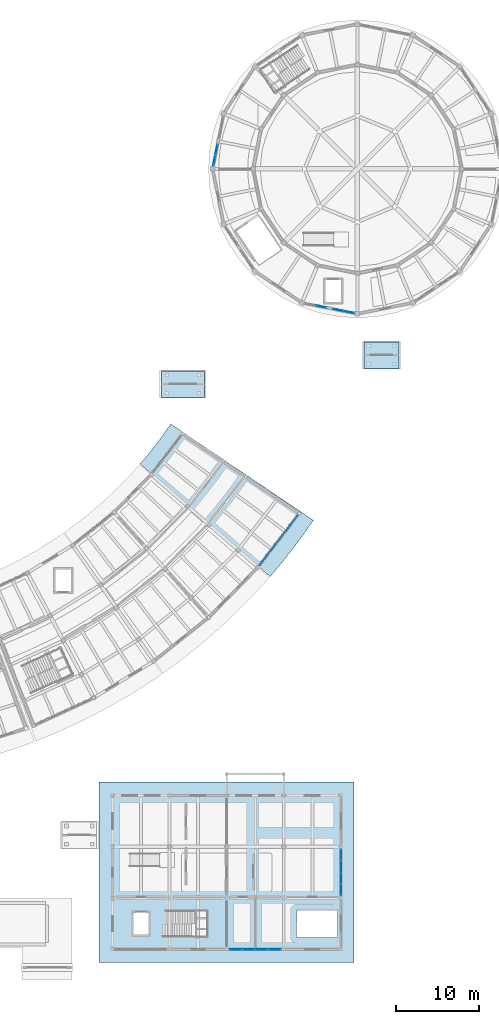
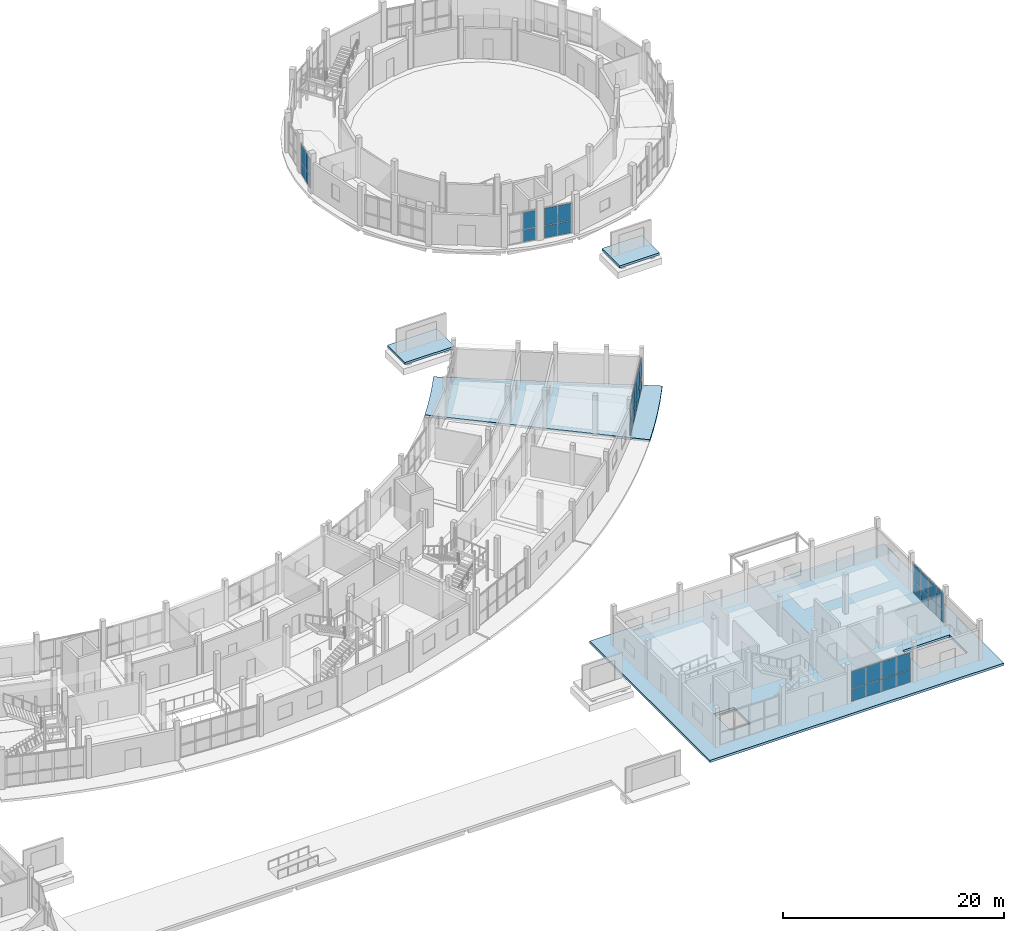
# One storey, part 56 of 92: 36 plates, 4 slabs, 6 elements without a shape of their own.
"""IFC4 building model written with IfcOpenShell, lengths in metres."""

from ifc_helpers import new_model, si_unit, direction, frame, origin, origin_2d, place, context, subcontext, project, spatial, polyline, rectangle, outline, extrude, material, layer, layer_set, type_object, element, aggregate, save


model = new_model("IFC4")

# Units and contexts
model_context = context("Model", 3, precision=1e-05, world=origin(), true_north=direction((0.0, 1.0)))
body_context = subcontext(model_context, "Body", "Model", "MODEL_VIEW")
ifc_project = project(units=[si_unit("LENGTHUNIT", "METRE"), si_unit("AREAUNIT", "SQUARE_METRE"), si_unit("VOLUMEUNIT", "CUBIC_METRE"), si_unit("PLANEANGLEUNIT", "RADIAN"), si_unit("MASSUNIT", "GRAM", prefix="KILO")], contexts=[model_context])

# Site, building, storey
site_placement = place(None, origin())
site = spatial("IfcSite", under=ifc_project, at=site_placement, CompositionType="ELEMENT")
building_placement = place(site_placement, origin())
building = spatial("IfcBuilding", under=site, at=building_placement, Name="Caldaven Crescent School", CompositionType="ELEMENT")
storey_placement = place(building_placement, origin())
storey = spatial("IfcBuildingStorey", under=building, at=storey_placement, Name="L00", CompositionType="ELEMENT", Elevation=0.0)

# Curtain wall, plates
ifc_material_1 = material(Name="Anodised aluminium AA 6063-T6 and low-E double glazing", Category="aluminium")
ifc_layer_1 = layer(ifc_material_1, 0.169921875)
ifc_layer_set_1 = layer_set([ifc_layer_1], Name="Anodised aluminium AA 6063-T6 and low-E double glazing")
curtain_wall_type_1 = type_object("IfcCurtainWallType", Name="CW-SYS1", PredefinedType="NOTDEFINED", material=ifc_layer_set_1)
curtain_wall_1_placement = place(storey_placement, origin())
curtain_wall_1 = element("IfcCurtainWall", 1, at=curtain_wall_1_placement, inside=storey, type_object=curtain_wall_type_1, Name="CW-L00-008", PredefinedType="NOTDEFINED")
ifc_material_2 = material(Name="Tempered low-E double glazing IGU", Category="glass")
ifc_layer_2 = layer(ifc_material_2, 0.0419921875)
ifc_layer_set_2 = layer_set([ifc_layer_2], Name="Tempered low-E double glazing IGU")
plate_type_1 = type_object("IfcPlateType", Name="PLT-CWP09", PredefinedType="CURTAIN_PANEL", material=ifc_layer_set_2)
plate_1_placement = place(storey_placement, frame((135.4609375, 100.817626953125, 0.06494140625), z_axis=(0.0, 0.0, 1.0), x_axis=(-0.195090276825, -0.980785289392, 0.0)))
plate_1 = element("IfcPlate", 2, at=plate_1_placement, type_object=plate_type_1, Name="CW1 panel 1.1", PredefinedType="CURTAIN_PANEL", context=body_context, shape_type="SweptSolid", body=[
    extrude(rectangle(XDim=1.241943359375, YDim=0.0419921875, at=origin_2d()), origin(), (0.0, 0.0, 1.0), 1.33056640625),
])
plate_2_placement = place(storey_placement, frame((135.4609375, 100.817626953125, 1.46044921875), z_axis=(0.0, 0.0, 1.0), x_axis=(-0.195090276825, -0.980785289392, 0.0)))
plate_2 = element("IfcPlate", 3, at=plate_2_placement, type_object=plate_type_1, Name="CW1 panel 1.2", PredefinedType="CURTAIN_PANEL", context=body_context, shape_type="SweptSolid", body=[
    extrude(rectangle(XDim=1.241943359375, YDim=0.0419921875, at=origin_2d()), origin(), (0.0, 0.0, 1.0), 1.87451171875),
])
plate_3_placement = place(storey_placement, frame((135.205078125, 99.53076171875, 0.06494140625), z_axis=(0.0, 0.0, 1.0), x_axis=(-0.195090276825, -0.980785289392, 0.0)))
plate_3 = element("IfcPlate", 4, at=plate_3_placement, type_object=plate_type_1, Name="CW1 panel 2.1", PredefinedType="CURTAIN_PANEL", context=body_context, shape_type="SweptSolid", body=[
    extrude(rectangle(XDim=1.241943359375, YDim=0.0419921875, at=origin_2d()), origin(), (0.0, 0.0, 1.0), 1.33056640625),
])
plate_4_placement = place(storey_placement, frame((135.205078125, 99.53076171875, 1.46044921875), z_axis=(0.0, 0.0, 1.0), x_axis=(-0.195090276825, -0.980785289392, 0.0)))
plate_4 = element("IfcPlate", 5, at=plate_4_placement, type_object=plate_type_1, Name="CW1 panel 2.2", PredefinedType="CURTAIN_PANEL", context=body_context, shape_type="SweptSolid", body=[
    extrude(rectangle(XDim=1.241943359375, YDim=0.0419921875, at=origin_2d()), origin(), (0.0, 0.0, 1.0), 1.87451171875),
])
aggregate(curtain_wall_1, [plate_1, plate_2, plate_3, plate_4])

ifc_layer_3 = layer(ifc_material_1, 0.2099609375)
ifc_layer_set_3 = layer_set([ifc_layer_3], Name="Anodised aluminium AA 6063-T6 and low-E double glazing")
curtain_wall_type_2 = type_object("IfcCurtainWallType", Name="CW-SYS3", PredefinedType="NOTDEFINED", material=ifc_layer_set_3)
curtain_wall_2_placement = place(storey_placement, origin())
curtain_wall_2 = element("IfcCurtainWall", 6, at=curtain_wall_2_placement, inside=storey, type_object=curtain_wall_type_2, Name="CW-L00-082", PredefinedType="NOTDEFINED")
ifc_layer_4 = layer(ifc_material_2, 0.0458984375)
ifc_layer_set_4 = layer_set([ifc_layer_4], Name="Tempered low-E double glazing IGU")
plate_type_2 = type_object("IfcPlateType", Name="PLT-CWP11", PredefinedType="CURTAIN_PANEL", material=ifc_layer_set_4)
plate_5_placement = place(storey_placement, frame((137.804931640625, 4.199951171875, 0.06494140625), z_axis=(0.0, 0.0, 1.0), x_axis=(1.0, 0.0, 0.0)))
plate_5 = element("IfcPlate", 7, at=plate_5_placement, type_object=plate_type_2, Name="CW3 panel 1.1", PredefinedType="CURTAIN_PANEL", context=body_context, shape_type="SweptSolid", body=[
    extrude(rectangle(XDim=1.469970703125, YDim=0.0458984375, at=origin_2d()), origin(), (0.0, 0.0, 1.0), 1.33056640625),
])
plate_6_placement = place(storey_placement, frame((137.804931640625, 4.199951171875, 1.46044921875), z_axis=(0.0, 0.0, 1.0), x_axis=(1.0, 0.0, 0.0)))
plate_6 = element("IfcPlate", 8, at=plate_6_placement, type_object=plate_type_2, Name="CW3 panel 1.2", PredefinedType="CURTAIN_PANEL", context=body_context, shape_type="SweptSolid", body=[
    extrude(rectangle(XDim=1.469970703125, YDim=0.0458984375, at=origin_2d()), origin(), (0.0, 0.0, 1.0), 1.87451171875),
])
plate_7_placement = place(storey_placement, frame((139.362548828125, 4.199951171875, 0.06494140625), z_axis=(0.0, 0.0, 1.0), x_axis=(1.0, 0.0, 0.0)))
plate_7 = element("IfcPlate", 9, at=plate_7_placement, type_object=plate_type_2, Name="CW3 panel 2.1", PredefinedType="CURTAIN_PANEL", context=body_context, shape_type="SweptSolid", body=[
    extrude(rectangle(XDim=1.5048828125, YDim=0.0458984375, at=origin_2d()), origin(), (0.0, 0.0, 1.0), 1.33056640625),
])
plate_8_placement = place(storey_placement, frame((139.362548828125, 4.199951171875, 1.46044921875), z_axis=(0.0, 0.0, 1.0), x_axis=(1.0, 0.0, 0.0)))
plate_8 = element("IfcPlate", 10, at=plate_8_placement, type_object=plate_type_2, Name="CW3 panel 2.2", PredefinedType="CURTAIN_PANEL", context=body_context, shape_type="SweptSolid", body=[
    extrude(rectangle(XDim=1.5048828125, YDim=0.0458984375, at=origin_2d()), origin(), (0.0, 0.0, 1.0), 1.87451171875),
])
plate_9_placement = place(storey_placement, frame((140.9375, 4.199951171875, 0.06494140625), z_axis=(0.0, 0.0, 1.0), x_axis=(1.0, 0.0, 0.0)))
plate_9 = element("IfcPlate", 11, at=plate_9_placement, type_object=plate_type_2, Name="CW3 panel 3.1", PredefinedType="CURTAIN_PANEL", context=body_context, shape_type="SweptSolid", body=[
    extrude(rectangle(XDim=1.5048828125, YDim=0.0458984375, at=origin_2d()), origin(), (0.0, 0.0, 1.0), 1.33056640625),
])
plate_10_placement = place(storey_placement, frame((140.9375, 4.199951171875, 1.46044921875), z_axis=(0.0, 0.0, 1.0), x_axis=(1.0, 0.0, 0.0)))
plate_10 = element("IfcPlate", 12, at=plate_10_placement, type_object=plate_type_2, Name="CW3 panel 3.2", PredefinedType="CURTAIN_PANEL", context=body_context, shape_type="SweptSolid", body=[
    extrude(rectangle(XDim=1.5048828125, YDim=0.0458984375, at=origin_2d()), origin(), (0.0, 0.0, 1.0), 1.87451171875),
])
plate_11_placement = place(storey_placement, frame((142.4951171875, 4.199951171875, 0.06494140625), z_axis=(0.0, 0.0, 1.0), x_axis=(1.0, 0.0, 0.0)))
plate_11 = element("IfcPlate", 13, at=plate_11_placement, type_object=plate_type_2, Name="CW3 panel 4.1", PredefinedType="CURTAIN_PANEL", context=body_context, shape_type="SweptSolid", body=[
    extrude(rectangle(XDim=1.469970703125, YDim=0.0458984375, at=origin_2d()), origin(), (0.0, 0.0, 1.0), 1.33056640625),
])
plate_12_placement = place(storey_placement, frame((142.4951171875, 4.199951171875, 1.46044921875), z_axis=(0.0, 0.0, 1.0), x_axis=(1.0, 0.0, 0.0)))
plate_12 = element("IfcPlate", 14, at=plate_12_placement, type_object=plate_type_2, Name="CW3 panel 4.2", PredefinedType="CURTAIN_PANEL", context=body_context, shape_type="SweptSolid", body=[
    extrude(rectangle(XDim=1.469970703125, YDim=0.0458984375, at=origin_2d()), origin(), (0.0, 0.0, 1.0), 1.87451171875),
])
aggregate(curtain_wall_2, [plate_5, plate_6, plate_7, plate_8, plate_9, plate_10, plate_11, plate_12])

ifc_layer_5 = layer(ifc_material_1, 0.22998046875)
ifc_layer_set_5 = layer_set([ifc_layer_5], Name="Anodised aluminium AA 6063-T6 and low-E double glazing")
curtain_wall_type_3 = type_object("IfcCurtainWallType", Name="CW-SYS4", PredefinedType="NOTDEFINED", material=ifc_layer_set_5)
curtain_wall_3_placement = place(storey_placement, origin())
curtain_wall_3 = element("IfcCurtainWall", 15, at=curtain_wall_3_placement, inside=storey, type_object=curtain_wall_type_3, Name="CW-L00-011", PredefinedType="NOTDEFINED")
ifc_layer_6 = layer(ifc_material_2, 0.048095703125)
ifc_layer_set_6 = layer_set([ifc_layer_6], Name="Tempered low-E double glazing IGU")
plate_type_3 = type_object("IfcPlateType", Name="PLT-CWP12", PredefinedType="CURTAIN_PANEL", material=ifc_layer_set_6)
plate_13_placement = place(storey_placement, frame((148.12060546875, 81.87109375, 0.06982421875), z_axis=(0.0, 0.0, 1.0), x_axis=(0.980785289392, -0.195090276825, 0.0)))
plate_13 = element("IfcPlate", 16, at=plate_13_placement, type_object=plate_type_3, Name="CW4 panel 2.1", PredefinedType="CURTAIN_PANEL", context=body_context, shape_type="SweptSolid", body=[
    extrude(rectangle(XDim=1.241943359375, YDim=0.048095703125, at=origin_2d()), origin(), (0.0, 0.0, 1.0), 1.322998046875),
])
plate_14_placement = place(storey_placement, frame((148.12060546875, 81.87109375, 1.462890625), z_axis=(0.0, 0.0, 1.0), x_axis=(0.980785289392, -0.195090276825, 0.0)))
plate_14 = element("IfcPlate", 17, at=plate_14_placement, type_object=plate_type_3, Name="CW4 panel 2.2", PredefinedType="CURTAIN_PANEL", context=body_context, shape_type="SweptSolid", body=[
    extrude(rectangle(XDim=1.241943359375, YDim=0.048095703125, at=origin_2d()), origin(), (0.0, 0.0, 1.0), 1.866943359375),
])
aggregate(curtain_wall_3, [plate_13, plate_14])

curtain_wall_4_placement = place(storey_placement, origin())
curtain_wall_4 = element("IfcCurtainWall", 18, at=curtain_wall_4_placement, inside=storey, type_object=curtain_wall_type_2, Name="CW-L00-083", PredefinedType="NOTDEFINED")
plate_15_placement = place(storey_placement, frame((150.5, 11.41748046875, 0.06494140625), z_axis=(0.0, 0.0, 1.0), x_axis=(0.0, 1.0, 0.0)))
plate_15 = element("IfcPlate", 19, at=plate_15_placement, type_object=plate_type_3, Name="CW3 panel 1.1", PredefinedType="CURTAIN_PANEL", context=body_context, shape_type="SweptSolid", body=[
    extrude(rectangle(XDim=1.294921875, YDim=0.048095703125, at=origin_2d()), origin(), (0.0, 0.0, 1.0), 1.33056640625),
])
plate_16_placement = place(storey_placement, frame((150.5, 11.41748046875, 1.46044921875), z_axis=(0.0, 0.0, 1.0), x_axis=(0.0, 1.0, 0.0)))
plate_16 = element("IfcPlate", 20, at=plate_16_placement, type_object=plate_type_3, Name="CW3 panel 1.2", PredefinedType="CURTAIN_PANEL", context=body_context, shape_type="SweptSolid", body=[
    extrude(rectangle(XDim=1.294921875, YDim=0.048095703125, at=origin_2d()), origin(), (0.0, 0.0, 1.0), 1.87451171875),
])
plate_17_placement = place(storey_placement, frame((150.5, 12.800048828125, 0.06494140625), z_axis=(0.0, 0.0, 1.0), x_axis=(0.0, 1.0, 0.0)))
plate_17 = element("IfcPlate", 21, at=plate_17_placement, type_object=plate_type_3, Name="CW3 panel 2.1", PredefinedType="CURTAIN_PANEL", context=body_context, shape_type="SweptSolid", body=[
    extrude(rectangle(XDim=1.330078125, YDim=0.048095703125, at=origin_2d()), origin(), (0.0, 0.0, 1.0), 1.33056640625),
])
plate_18_placement = place(storey_placement, frame((150.5, 12.800048828125, 1.46044921875), z_axis=(0.0, 0.0, 1.0), x_axis=(0.0, 1.0, 0.0)))
plate_18 = element("IfcPlate", 22, at=plate_18_placement, type_object=plate_type_3, Name="CW3 panel 2.2", PredefinedType="CURTAIN_PANEL", context=body_context, shape_type="SweptSolid", body=[
    extrude(rectangle(XDim=1.330078125, YDim=0.048095703125, at=origin_2d()), origin(), (0.0, 0.0, 1.0), 1.87451171875),
])
plate_19_placement = place(storey_placement, frame((150.5, 14.199951171875, 0.06494140625), z_axis=(0.0, 0.0, 1.0), x_axis=(0.0, 1.0, 0.0)))
plate_19 = element("IfcPlate", 23, at=plate_19_placement, type_object=plate_type_3, Name="CW3 panel 3.1", PredefinedType="CURTAIN_PANEL", context=body_context, shape_type="SweptSolid", body=[
    extrude(rectangle(XDim=1.330078125, YDim=0.048095703125, at=origin_2d()), origin(), (0.0, 0.0, 1.0), 1.33056640625),
])
plate_20_placement = place(storey_placement, frame((150.5, 14.199951171875, 1.46044921875), z_axis=(0.0, 0.0, 1.0), x_axis=(0.0, 1.0, 0.0)))
plate_20 = element("IfcPlate", 24, at=plate_20_placement, type_object=plate_type_3, Name="CW3 panel 3.2", PredefinedType="CURTAIN_PANEL", context=body_context, shape_type="SweptSolid", body=[
    extrude(rectangle(XDim=1.330078125, YDim=0.048095703125, at=origin_2d()), origin(), (0.0, 0.0, 1.0), 1.87451171875),
])
plate_21_placement = place(storey_placement, frame((150.5, 15.58251953125, 0.06494140625), z_axis=(0.0, 0.0, 1.0), x_axis=(0.0, 1.0, 0.0)))
plate_21 = element("IfcPlate", 25, at=plate_21_placement, type_object=plate_type_3, Name="CW3 panel 4.1", PredefinedType="CURTAIN_PANEL", context=body_context, shape_type="SweptSolid", body=[
    extrude(rectangle(XDim=1.294921875, YDim=0.048095703125, at=origin_2d()), origin(), (0.0, 0.0, 1.0), 1.33056640625),
])
plate_22_placement = place(storey_placement, frame((150.5, 15.58251953125, 1.46044921875), z_axis=(0.0, 0.0, 1.0), x_axis=(0.0, 1.0, 0.0)))
plate_22 = element("IfcPlate", 26, at=plate_22_placement, type_object=plate_type_3, Name="CW3 panel 4.2", PredefinedType="CURTAIN_PANEL", context=body_context, shape_type="SweptSolid", body=[
    extrude(rectangle(XDim=1.294921875, YDim=0.048095703125, at=origin_2d()), origin(), (0.0, 0.0, 1.0), 1.87451171875),
])
aggregate(curtain_wall_4, [plate_15, plate_16, plate_17, plate_18, plate_19, plate_20, plate_21, plate_22])

curtain_wall_5_placement = place(storey_placement, origin())
curtain_wall_5 = element("IfcCurtainWall", 27, at=curtain_wall_5_placement, inside=storey, type_object=curtain_wall_type_1, Name="CW-L00-012", PredefinedType="NOTDEFINED")
ifc_layer_7 = layer(ifc_material_2, 0.050048828125)
ifc_layer_set_7 = layer_set([ifc_layer_7], Name="Tempered low-E double glazing IGU")
plate_type_4 = type_object("IfcPlateType", Name="PLT-CWP13", PredefinedType="CURTAIN_PANEL", material=ifc_layer_set_7)
plate_23_placement = place(storey_placement, frame((150.179931640625, 81.46142578125, 0.06005859375), z_axis=(0.0, 0.0, 1.0), x_axis=(0.980785289392, -0.195090276825, 0.0)))
plate_23 = element("IfcPlate", 28, at=plate_23_placement, type_object=plate_type_4, Name="CW1 panel 1.1", PredefinedType="CURTAIN_PANEL", context=body_context, shape_type="SweptSolid", body=[
    extrude(rectangle(XDim=1.257080078125, YDim=0.050048828125, at=origin_2d()), origin(), (0.0, 0.0, 1.0), 1.337890625),
])
plate_24_placement = place(storey_placement, frame((150.179931640625, 81.46142578125, 1.4580078125), z_axis=(0.0, 0.0, 1.0), x_axis=(0.980785289392, -0.195090276825, 0.0)))
plate_24 = element("IfcPlate", 29, at=plate_24_placement, type_object=plate_type_4, Name="CW1 panel 1.2", PredefinedType="CURTAIN_PANEL", context=body_context, shape_type="SweptSolid", body=[
    extrude(rectangle(XDim=1.257080078125, YDim=0.050048828125, at=origin_2d()), origin(), (0.0, 0.0, 1.0), 1.882080078125),
])
plate_25_placement = place(storey_placement, frame((151.4716796875, 81.20458984375, 0.06005859375), z_axis=(0.0, 0.0, 1.0), x_axis=(0.980785289392, -0.195090276825, 0.0)))
plate_25 = element("IfcPlate", 30, at=plate_25_placement, type_object=plate_type_4, Name="CW1 panel 2.1", PredefinedType="CURTAIN_PANEL", context=body_context, shape_type="SweptSolid", body=[
    extrude(rectangle(XDim=1.257080078125, YDim=0.050048828125, at=origin_2d()), origin(), (0.0, 0.0, 1.0), 1.337890625),
])
plate_26_placement = place(storey_placement, frame((151.4716796875, 81.20458984375, 1.4580078125), z_axis=(0.0, 0.0, 1.0), x_axis=(0.980785289392, -0.195090276825, 0.0)))
plate_26 = element("IfcPlate", 31, at=plate_26_placement, type_object=plate_type_4, Name="CW1 panel 2.2", PredefinedType="CURTAIN_PANEL", context=body_context, shape_type="SweptSolid", body=[
    extrude(rectangle(XDim=1.257080078125, YDim=0.050048828125, at=origin_2d()), origin(), (0.0, 0.0, 1.0), 1.882080078125),
])
aggregate(curtain_wall_5, [plate_23, plate_24, plate_25, plate_26])

curtain_wall_6_placement = place(storey_placement, origin())
curtain_wall_6 = element("IfcCurtainWall", 32, at=curtain_wall_6_placement, inside=storey, type_object=curtain_wall_type_2, Name="CW-L00-116", PredefinedType="NOTDEFINED")
ifc_material_3 = material(Name="Insulated bronze aluminium spandrel panel", Category="aluminium")
ifc_layer_8 = layer(ifc_material_3, 0.06591796875)
ifc_layer_set_8 = layer_set([ifc_layer_8], Name="Insulated bronze aluminium spandrel panel")
plate_type_5 = type_object("IfcPlateType", Name="PLT-CWP21", PredefinedType="CURTAIN_PANEL", material=ifc_layer_set_8)
plate_27_placement = place(storey_placement, frame((141.146728515625, 51.22314453125, 0.06005859375), z_axis=(0.0, 0.0, 1.0), x_axis=(0.610385833254, 0.792104244757, 0.0)))
plate_27 = element("IfcPlate", 33, at=plate_27_placement, type_object=plate_type_5, Name="CW3 panel 1.1", PredefinedType="CURTAIN_PANEL", context=body_context, shape_type="SweptSolid", body=[
    extrude(rectangle(XDim=1.431396484375, YDim=0.06591796875, at=origin_2d()), origin(), (0.0, 0.0, 1.0), 1.337890625),
])
plate_28_placement = place(storey_placement, frame((141.146728515625, 51.22314453125, 1.4580078125), z_axis=(0.0, 0.0, 1.0), x_axis=(0.610385833254, 0.792104244757, 0.0)))
plate_28 = element("IfcPlate", 34, at=plate_28_placement, type_object=plate_type_5, Name="CW3 panel 1.2", PredefinedType="CURTAIN_PANEL", context=body_context, shape_type="SweptSolid", body=[
    extrude(rectangle(XDim=1.431396484375, YDim=0.06591796875, at=origin_2d()), origin(), (0.0, 0.0, 1.0), 1.882080078125),
])
plate_29_placement = place(storey_placement, frame((142.066162109375, 52.41650390625, 0.06005859375), z_axis=(0.0, 0.0, 1.0), x_axis=(0.610385833254, 0.792104244757, 0.0)))
plate_29 = element("IfcPlate", 35, at=plate_29_placement, type_object=plate_type_5, Name="CW3 panel 2.1", PredefinedType="CURTAIN_PANEL", context=body_context, shape_type="SweptSolid", body=[
    extrude(rectangle(XDim=1.46142578125, YDim=0.06591796875, at=origin_2d()), origin(), (0.0, 0.0, 1.0), 1.337890625),
])
plate_30_placement = place(storey_placement, frame((142.066162109375, 52.41650390625, 1.4580078125), z_axis=(0.0, 0.0, 1.0), x_axis=(0.610385833254, 0.792104244757, 0.0)))
plate_30 = element("IfcPlate", 36, at=plate_30_placement, type_object=plate_type_5, Name="CW3 panel 2.2", PredefinedType="CURTAIN_PANEL", context=body_context, shape_type="SweptSolid", body=[
    extrude(rectangle(XDim=1.46142578125, YDim=0.06591796875, at=origin_2d()), origin(), (0.0, 0.0, 1.0), 1.882080078125),
])
plate_31_placement = place(storey_placement, frame((142.994873046875, 53.62158203125, 0.06005859375), z_axis=(0.0, 0.0, 1.0), x_axis=(0.610385833254, 0.792104244757, 0.0)))
plate_31 = element("IfcPlate", 37, at=plate_31_placement, type_object=plate_type_5, Name="CW3 panel 3.1", PredefinedType="CURTAIN_PANEL", context=body_context, shape_type="SweptSolid", body=[
    extrude(rectangle(XDim=1.46142578125, YDim=0.06591796875, at=origin_2d()), origin(), (0.0, 0.0, 1.0), 1.337890625),
])
plate_32_placement = place(storey_placement, frame((142.994873046875, 53.62158203125, 1.4580078125), z_axis=(0.0, 0.0, 1.0), x_axis=(0.610385833254, 0.792104244757, 0.0)))
plate_32 = element("IfcPlate", 38, at=plate_32_placement, type_object=plate_type_5, Name="CW3 panel 3.2", PredefinedType="CURTAIN_PANEL", context=body_context, shape_type="SweptSolid", body=[
    extrude(rectangle(XDim=1.46142578125, YDim=0.06591796875, at=origin_2d()), origin(), (0.0, 0.0, 1.0), 1.882080078125),
])
plate_33_placement = place(storey_placement, frame((143.923583984375, 54.826904296875, 0.06005859375), z_axis=(0.0, 0.0, 1.0), x_axis=(0.610385833254, 0.792104244757, 0.0)))
plate_33 = element("IfcPlate", 39, at=plate_33_placement, type_object=plate_type_5, Name="CW3 panel 4.1", PredefinedType="CURTAIN_PANEL", context=body_context, shape_type="SweptSolid", body=[
    extrude(rectangle(XDim=1.46142578125, YDim=0.06591796875, at=origin_2d()), origin(), (0.0, 0.0, 1.0), 1.337890625),
])
plate_34_placement = place(storey_placement, frame((143.923583984375, 54.826904296875, 1.4580078125), z_axis=(0.0, 0.0, 1.0), x_axis=(0.610385833254, 0.792104244757, 0.0)))
plate_34 = element("IfcPlate", 40, at=plate_34_placement, type_object=plate_type_5, Name="CW3 panel 4.2", PredefinedType="CURTAIN_PANEL", context=body_context, shape_type="SweptSolid", body=[
    extrude(rectangle(XDim=1.46142578125, YDim=0.06591796875, at=origin_2d()), origin(), (0.0, 0.0, 1.0), 1.882080078125),
])
plate_35_placement = place(storey_placement, frame((144.843017578125, 56.02001953125, 0.06005859375), z_axis=(0.0, 0.0, 1.0), x_axis=(0.610385833254, 0.792104244757, 0.0)))
plate_35 = element("IfcPlate", 41, at=plate_35_placement, type_object=plate_type_5, Name="CW3 panel 5.1", PredefinedType="CURTAIN_PANEL", context=body_context, shape_type="SweptSolid", body=[
    extrude(rectangle(XDim=1.431396484375, YDim=0.06591796875, at=origin_2d()), origin(), (0.0, 0.0, 1.0), 1.337890625),
])
plate_36_placement = place(storey_placement, frame((144.843017578125, 56.02001953125, 1.4580078125), z_axis=(0.0, 0.0, 1.0), x_axis=(0.610385833254, 0.792104244757, 0.0)))
plate_36 = element("IfcPlate", 42, at=plate_36_placement, type_object=plate_type_5, Name="CW3 panel 5.2", PredefinedType="CURTAIN_PANEL", context=body_context, shape_type="SweptSolid", body=[
    extrude(rectangle(XDim=1.431396484375, YDim=0.06591796875, at=origin_2d()), origin(), (0.0, 0.0, 1.0), 1.882080078125),
])
aggregate(curtain_wall_6, [plate_27, plate_28, plate_29, plate_30, plate_31, plate_32, plate_33, plate_34, plate_35, plate_36])

# Slabs
ifc_material_4 = material(Name="Concrete C30/37", Category="concrete")
ifc_layer_9 = layer(ifc_material_4, 0.239990234375)
ifc_layer_set_9 = layer_set([ifc_layer_9], Name="Concrete C30/37")
slab_type_1 = type_object("IfcSlabType", Name="SLB-BS2", PredefinedType="BASESLAB", material=ifc_layer_set_9)
slab_1_placement = place(storey_placement, frame((0.0, 0.0, -0.239990234375)))
element("IfcSlab", 43, at=slab_1_placement, inside=storey, type_object=slab_type_1, Name="SLB-GATE-CG2", PredefinedType="BASESLAB", context=body_context, shape_type="SweptSolid", body=[
    extrude(outline(polyline([(128.800048828125, 70.89990234375), (134.0, 70.89990234375), (134.0, 74.10009765625), (128.800048828125, 74.10009765625), (128.800048828125, 70.89990234375)])), origin(), (0.0, 0.0, 1.0), 0.239990234375),
])
slab_2_placement = place(storey_placement, frame((0.0, 0.0, -0.239990234375)))
element("IfcSlab", 44, at=slab_2_placement, inside=storey, type_object=slab_type_1, Name="SLB-GATE-CG6", PredefinedType="BASESLAB", context=body_context, shape_type="SweptSolid", body=[
    extrude(outline(polyline([(153.300048828125, 74.39990234375), (157.5, 74.39990234375), (157.5, 77.60009765625), (153.300048828125, 77.60009765625), (153.300048828125, 74.39990234375)])), origin(), (0.0, 0.0, 1.0), 0.239990234375),
])
ifc_material_5 = material(Name="Concrete C35/45", Category="concrete")
ifc_layer_10 = layer(ifc_material_5, 0.260009765625)
ifc_layer_set_10 = layer_set([ifc_layer_10], Name="Concrete C35/45")
slab_type_2 = type_object("IfcSlabType", Name="SLB-FS1", PredefinedType="FLOOR", material=ifc_layer_set_10)
slab_3_placement = place(storey_placement, frame((0.0, 0.0, -0.260009765625)))
element("IfcSlab", 45, at=slab_3_placement, inside=storey, type_object=slab_type_2, Name="SLB-V3-L00", PredefinedType="FLOOR", context=body_context, shape_type="SweptSolid", body=[
    extrude(outline(polyline([(121.300048828125, 2.60009765625), (152.10009765625, 2.60009765625), (152.10009765625, 24.39990234375), (121.300048828125, 24.39990234375), (121.300048828125, 2.60009765625)]), holes=[polyline([(125.300048828125, 5.800048828125), (125.300048828125, 8.800048828125), (127.39990234375, 8.800048828125), (127.39990234375, 5.800048828125), (125.300048828125, 5.800048828125)]), polyline([(145.157958984375, 5.679931640625), (145.157958984375, 8.919921875), (150.06005859375, 8.919921875), (150.06005859375, 5.679931640625), (145.157958984375, 5.679931640625)])]), origin(), (0.0, 0.0, 1.0), 0.260009765625),
])
slab_4_placement = place(storey_placement, frame((0.0, 0.0, -0.260009765625)))
element("IfcSlab", 46, at=slab_4_placement, inside=storey, type_object=slab_type_2, Name="SLB-V4E-L00-B15", PredefinedType="FLOOR", context=body_context, shape_type="SweptSolid", body=[
    extrude(outline(polyline([(141.94384765625, 49.2236328125), (143.32958984375, 50.871337890625), (144.6650390625, 52.56005859375), (145.948974609375, 54.2880859375), (147.18017578125, 56.05419921875), (129.93994140625, 67.691162109375), (129.0673828125, 66.439453125), (128.157470703125, 65.21484375), (127.211181640625, 64.01806640625), (126.22900390625, 62.850341796875), (141.94384765625, 49.2236328125)])), origin(), (0.0, 0.0, 1.0), 0.260009765625),
])

save(model, "model.ifc")
